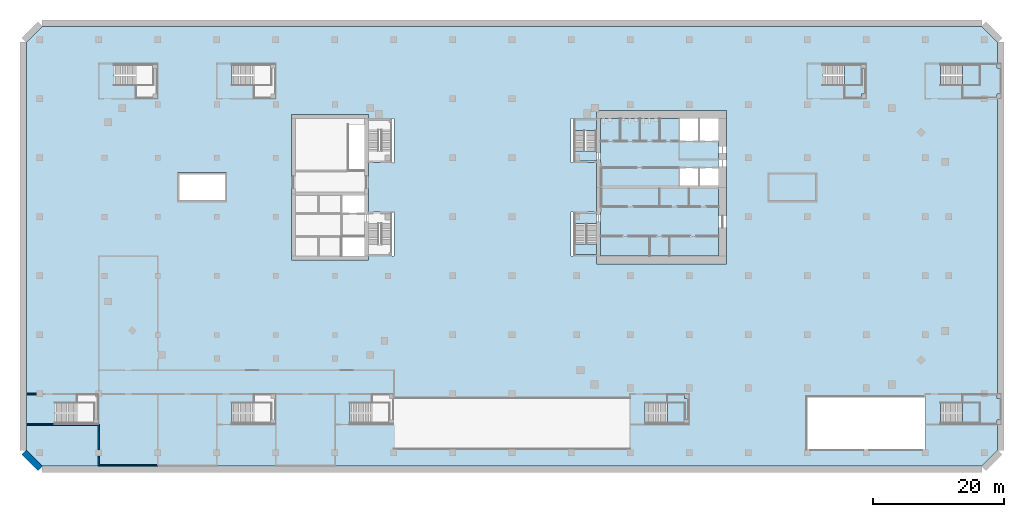
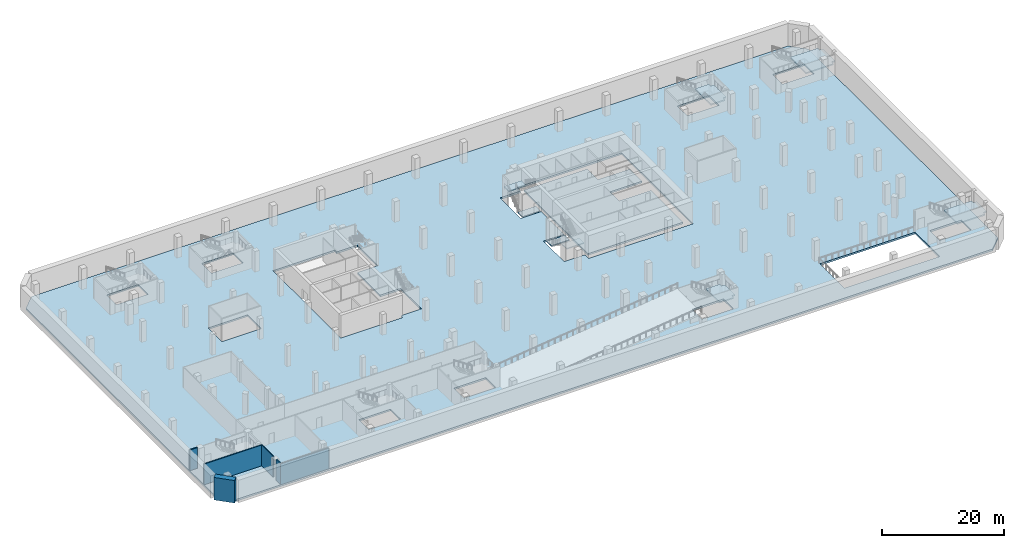
# One storey, part 3 of 16: 10 slabs, 6 walls, 6 elements without a shape of their own.
"""IFC4 building model written with IfcOpenShell, lengths in metres."""

from ifc_helpers import new_model, si_unit, direction, frame, frame_2d, origin, place, context, subcontext, project, spatial, polyline, rectangle, outline, extrude, material, layer, layer_set, type_object, element, aggregate, save


model = new_model("IFC4")

# Units and contexts
model_context = context("Model", 3, precision=1e-05, world=origin(), true_north=direction((0.0, 1.0)))
body_context = subcontext(model_context, "Body", "Model", "MODEL_VIEW")
ifc_project = project(units=[si_unit("LENGTHUNIT", "METRE"), si_unit("AREAUNIT", "SQUARE_METRE"), si_unit("VOLUMEUNIT", "CUBIC_METRE"), si_unit("PLANEANGLEUNIT", "RADIAN"), si_unit("MASSUNIT", "GRAM", prefix="KILO")], contexts=[model_context])

# Site, building, storey
site_placement = place(None, origin())
site = spatial("IfcSite", under=ifc_project, at=site_placement, CompositionType="ELEMENT")
building_placement = place(site_placement, origin())
building = spatial("IfcBuilding", under=site, at=building_placement, Name="Cinnabar Reach Civic Tower", CompositionType="ELEMENT")
storey_placement = place(building_placement, frame((0.0, 0.0, -9.5)))
storey = spatial("IfcBuildingStorey", under=building, at=storey_placement, Name="B2", CompositionType="ELEMENT", Elevation=-9.5)

# Slab
ifc_material_1 = material(Name="Concrete C40", Category="concrete")
ifc_layer_1 = layer(ifc_material_1, 0.35)
ifc_layer_set_1 = layer_set([ifc_layer_1], Name="Basement flat slab 350 REI 150")
slab_type_1 = type_object("IfcSlabType", Name="Basement flat slab 350 REI 150", PredefinedType="FLOOR", material=ifc_layer_set_1)
slab_1_placement = place(storey_placement, frame((0.0, 0.0, -0.35)))
element("IfcSlab", 1, at=slab_1_placement, inside=storey, type_object=slab_type_1, Name="Basement flat slab 350 B2", PredefinedType="FLOOR", context=body_context, shape_type="SweptSolid", body=[
    extrude(outline(polyline([(-83.0, -8.5858), (-83.0, 53.5858), (-80.5858, 56.0), (62.5858, 56.0), (65.0, 53.5858), (65.0, -8.5858), (62.5858, -11.0), (-80.5858, -11.0), (-83.0, -8.5858)]), holes=[polyline([(-78.7, -1.3), (-78.7, -4.5), (-72.7, -4.5), (-72.7, -1.3), (-78.7, -1.3)]), polyline([(-45.7, -1.3), (-51.7, -1.3), (-51.7, -4.5), (-45.7, -4.5), (-45.7, -1.3)]), polyline([(-27.7, -1.3), (-33.7, -1.3), (-33.7, -4.5), (-27.7, -4.5), (-27.7, -1.3)]), polyline([(-60.0, 33.75), (-60.0, 29.25), (-52.5, 29.25), (-52.5, 33.75), (-60.0, 33.75)]), polyline([(-42.6, 20.4), (-30.9, 20.4), (-30.9, 21.0), (-27.0, 21.0), (-27.0, 27.75), (-30.9, 27.75), (-30.9, 35.25), (-27.0, 35.25), (-27.0, 42.0), (-30.9, 42.0), (-30.9, 42.6), (-42.6, 42.6), (-42.6, 20.4)]), polyline([(-63.7, 50.2), (-69.7, 50.2), (-69.7, 47.0), (-63.7, 47.0), (-63.7, 50.2)]), polyline([(-51.7, 50.2), (-51.7, 47.0), (-45.7, 47.0), (-45.7, 50.2), (-51.7, 50.2)]), polyline([(54.0, -0.5), (36.0, -0.5), (36.0, -8.5), (54.0, -8.5), (54.0, -0.5)]), polyline([(17.3, -1.3), (11.3, -1.3), (11.3, -4.5), (17.3, -4.5), (17.3, -1.3)]), polyline([(62.3, -1.3), (56.3, -1.3), (56.3, -4.5), (62.3, -4.5), (62.3, -1.3)]), polyline([(3.9, 42.0), (0.0, 42.0), (0.0, 35.25), (3.9, 35.25), (3.9, 27.75), (0.0, 27.75), (0.0, 21.0), (3.9, 21.0), (3.9, 19.8), (23.7, 19.8), (23.7, 43.2), (3.9, 43.2), (3.9, 42.0)]), polyline([(44.3, 47.0), (44.3, 50.2), (38.3, 50.2), (38.3, 47.0), (44.3, 47.0)]), polyline([(62.3, 47.0), (62.3, 50.2), (56.3, 50.2), (56.3, 47.0), (62.3, 47.0)])]), origin(), (0.0, 0.0, 1.0), 0.35),
])

# Stair, slab
ifc_material_2 = material(Name="Concrete C35", Category="concrete")
stair_type_1 = type_object("IfcStairType", Name="Podium exit stair 1500", PredefinedType="HALF_TURN_STAIR", material=ifc_material_2)
stair_1_placement = place(storey_placement, origin())
stair_1 = element("IfcStair", 2, at=stair_1_placement, inside=storey, type_object=stair_type_1, Name="Stair PS3", PredefinedType="HALF_TURN_STAIR")
ifc_material_3 = material(Name="Concrete C35/45", Category="concrete")
ifc_layer_2 = layer(ifc_material_3, 0.25)
ifc_layer_set_2 = layer_set([ifc_layer_2], Name="Podium exit stair landing 250")
slab_type_2 = type_object("IfcSlabType", Name="Podium exit stair landing 250", PredefinedType="LANDING", material=ifc_layer_set_2)
slab_2_placement = place(storey_placement, frame((0.0, 0.0, 2.0)))
slab_2 = element("IfcSlab", 3, at=slab_2_placement, type_object=slab_type_2, Name="PS3 landing 1", PredefinedType="LANDING", context=body_context, shape_type="SweptSolid", body=[
    extrude(outline(polyline([(17.9, -3.95), (17.3, -3.95), (17.3, -4.55), (14.67, -4.55), (14.67, -0.1), (17.3, -0.1), (17.3, -0.7), (17.9, -0.7), (17.9, -3.95)])), origin(), (0.0, 0.0, 1.0), 0.25),
])
aggregate(stair_1, [slab_2])

stair_2_placement = place(storey_placement, origin())
stair_2 = element("IfcStair", 4, at=stair_2_placement, inside=storey, type_object=stair_type_1, Name="Stair PS4", PredefinedType="HALF_TURN_STAIR")
slab_3_placement = place(storey_placement, frame((0.0, 0.0, 2.0)))
slab_3 = element("IfcSlab", 5, at=slab_3_placement, type_object=slab_type_2, Name="PS4 landing 1", PredefinedType="LANDING", context=body_context, shape_type="SweptSolid", body=[
    extrude(outline(polyline([(65.5, -3.95), (64.9, -3.95), (64.9, -4.55), (59.67, -4.55), (59.67, -0.1), (64.9, -0.1), (64.9, -0.7), (65.5, -0.7), (65.5, -3.95)])), origin(), (0.0, 0.0, 1.0), 0.25),
])
aggregate(stair_2, [slab_3])

stair_3_placement = place(storey_placement, origin())
stair_3 = element("IfcStair", 6, at=stair_3_placement, inside=storey, type_object=stair_type_1, Name="Stair PS5", PredefinedType="HALF_TURN_STAIR")
slab_4_placement = place(storey_placement, frame((0.0, 0.0, 2.0)))
slab_4 = element("IfcSlab", 7, at=slab_4_placement, type_object=slab_type_2, Name="PS5 landing 1", PredefinedType="LANDING", context=body_context, shape_type="SweptSolid", body=[
    extrude(outline(polyline([(65.5, 45.7), (64.9, 45.7), (64.9, 45.1), (59.67, 45.1), (59.67, 50.25), (64.9, 50.25), (64.9, 49.65), (65.5, 49.65), (65.5, 45.7)])), origin(), (0.0, 0.0, 1.0), 0.25),
])
aggregate(stair_3, [slab_4])

stair_4_placement = place(storey_placement, origin())
stair_4 = element("IfcStair", 8, at=stair_4_placement, inside=storey, type_object=stair_type_1, Name="Stair PS6", PredefinedType="HALF_TURN_STAIR")
slab_5_placement = place(storey_placement, frame((0.0, 0.0, 2.0)))
slab_5 = element("IfcSlab", 9, at=slab_5_placement, type_object=slab_type_2, Name="PS6 landing 1", PredefinedType="LANDING", context=body_context, shape_type="SweptSolid", body=[
    extrude(outline(polyline([(44.9, 45.7), (44.3, 45.7), (44.3, 45.1), (41.67, 45.1), (41.67, 50.25), (44.3, 50.25), (44.3, 49.65), (44.9, 49.65), (44.9, 45.7)])), origin(), (0.0, 0.0, 1.0), 0.25),
])
aggregate(stair_4, [slab_5])

# Stair, slabs
ifc_material_4 = material(Name="Concrete C40/50", Category="concrete")
stair_type_2 = type_object("IfcStairType", Name="T1 Exit stair, half-turn", PredefinedType="HALF_TURN_STAIR", material=ifc_material_4)
stair_5_placement = place(storey_placement, origin())
stair_5 = element("IfcStair", 10, at=stair_5_placement, inside=storey, type_object=stair_type_2, Name="Stair T1-S1", PredefinedType="HALF_TURN_STAIR")
ifc_layer_3 = layer(ifc_material_4, 0.2)
ifc_layer_set_3 = layer_set([ifc_layer_3], Name="T1 Stair landing 200, Concrete C40/50")
slab_type_3 = type_object("IfcSlabType", Name="T1 Stair landing 200, Concrete C40/50", PredefinedType="LANDING", material=ifc_layer_set_3)
slab_6_placement = place(storey_placement, frame((0.0, 0.0, -0.2)))
slab_6 = element("IfcSlab", 11, at=slab_6_placement, type_object=slab_type_3, Name="T1-S1 landing 1", PredefinedType="LANDING", context=body_context, shape_type="SweptSolid", body=[
    extrude(outline(polyline([(3.9, 25.95), (3.9, 27.5), (0.5, 27.5), (0.5, 25.95), (3.9, 25.95)])), origin(), (0.0, 0.0, 1.0), 0.2),
])
slab_7_placement = place(storey_placement, frame((0.0, 0.0, 2.05)))
slab_7 = element("IfcSlab", 12, at=slab_7_placement, type_object=slab_type_3, Name="T1-S1 landing 2", PredefinedType="LANDING", context=body_context, shape_type="SweptSolid", body=[
    extrude(outline(polyline([(3.9, 21.25), (3.9, 22.83), (0.6, 22.83), (0.6, 21.25), (3.9, 21.25)])), origin(), (0.0, 0.0, 1.0), 0.2),
])
aggregate(stair_5, [slab_6, slab_7])

stair_6_placement = place(storey_placement, origin())
stair_6 = element("IfcStair", 13, at=stair_6_placement, inside=storey, type_object=stair_type_2, Name="Stair T1-S2", PredefinedType="HALF_TURN_STAIR")
slab_8_placement = place(storey_placement, frame((0.0, 0.0, -0.2)))
slab_8 = element("IfcSlab", 14, at=slab_8_placement, type_object=slab_type_3, Name="T1-S2 landing 1", PredefinedType="LANDING", context=body_context, shape_type="SweptSolid", body=[
    extrude(outline(polyline([(3.9, 35.5), (3.9, 37.05), (0.5, 37.05), (0.5, 35.5), (3.9, 35.5)])), origin(), (0.0, 0.0, 1.0), 0.2),
])
slab_9_placement = place(storey_placement, frame((0.0, 0.0, 2.05)))
slab_9 = element("IfcSlab", 15, at=slab_9_placement, type_object=slab_type_3, Name="T1-S2 landing 2", PredefinedType="LANDING", context=body_context, shape_type="SweptSolid", body=[
    extrude(outline(polyline([(3.9, 40.17), (3.9, 41.75), (0.6, 41.75), (0.6, 40.17), (3.9, 40.17)])), origin(), (0.0, 0.0, 1.0), 0.2),
])
aggregate(stair_6, [slab_8, slab_9])

# Slab
ifc_layer_4 = layer(ifc_material_4, 0.35)
ifc_layer_set_4 = layer_set([ifc_layer_4], Name="T1 core floor slab 350")
slab_type_4 = type_object("IfcSlabType", Name="T1 core floor slab 350", PredefinedType="FLOOR", material=ifc_layer_set_4)
slab_10_placement = place(storey_placement, frame((0.0, 0.0, -0.35)))
element("IfcSlab", 16, at=slab_10_placement, inside=storey, type_object=slab_type_4, Name="Core floor slab B2", PredefinedType="FLOOR", context=body_context, shape_type="SweptSolid", body=[
    extrude(outline(polyline([(22.5, 21.0), (4.5, 21.0), (4.5, 42.0), (16.5, 42.0), (16.5, 38.5), (19.5, 38.5), (22.5, 38.5), (22.5, 34.5), (19.5, 34.5), (16.5, 34.5), (16.5, 31.5), (19.5, 31.5), (22.5, 31.5), (22.5, 21.0)])), origin(), (0.0, 0.0, 1.0), 0.35),
])

# Walls
ifc_material_5 = material(Name="Concrete C70", Category="concrete")
ifc_layer_5 = layer(ifc_material_5, 1.0)
ifc_layer_set_5 = layer_set([ifc_layer_5], Name="Basement wall 1000 EI 180")
wall_type_1 = type_object("IfcWallType", Name="Basement wall 1000 EI 180", PredefinedType="SOLIDWALL", material=ifc_layer_set_5)
wall_1_placement = place(storey_placement, frame((-80.9004, -11.3924, 0.0), z_axis=(0.0, 0.0, 1.0), x_axis=(-0.707106781187, 0.707106781187, 0.0)))
element("IfcWall", 17, at=wall_1_placement, inside=storey, type_object=wall_type_1, Name="Basement wall B2 1", PredefinedType="SOLIDWALL", context=body_context, shape_type="SweptSolid", body=[
    extrude(rectangle(XDim=3.5242, YDim=1.0, at=frame_2d((1.7621, 0.0))), origin(), (0.0, 0.0, 1.0), 4.5),
])
ifc_material_6 = material(Name="Concrete blockwork", Category="masonry")
ifc_layer_6 = layer(ifc_material_6, 0.2)
ifc_layer_set_6 = layer_set([ifc_layer_6], Name="Podium masonry corridor wall 200 EI 120")
wall_type_2 = type_object("IfcWallType", Name="Podium masonry corridor wall 200 EI 120", PredefinedType="PARTITIONING", material=ifc_layer_set_6)
wall_2_placement = place(storey_placement, frame((-72.1, -10.9, 0.0), z_axis=(0.0, 0.0, 1.0), x_axis=(1.0, 0.0, 0.0)))
element("IfcWall", 18, at=wall_2_placement, inside=storey, type_object=wall_type_2, Name="Wall B2 46", PredefinedType="PARTITIONING", context=body_context, shape_type="SweptSolid", body=[
    extrude(rectangle(XDim=9.1, YDim=0.2, at=frame_2d((4.55, 0.0))), origin(), (0.0, 0.0, 1.0), 4.15),
])
wall_3_placement = place(storey_placement, frame((-72.0, -10.9, 0.0), z_axis=(0.0, 0.0, 1.0), x_axis=(0.0, 1.0, 0.0)))
element("IfcWall", 19, at=wall_3_placement, inside=storey, type_object=wall_type_2, Name="Wall B2 47", PredefinedType="PARTITIONING", context=body_context, shape_type="SweptSolid", body=[
    extrude(rectangle(XDim=1.38, YDim=0.2, at=frame_2d((0.69, 0.0))), origin(), (0.0, 0.0, 1.0), 4.15),
])
wall_4_placement = place(storey_placement, frame((-72.0, -8.48, 0.0), z_axis=(0.0, 0.0, 1.0), x_axis=(0.0, 1.0, 0.0)))
element("IfcWall", 20, at=wall_4_placement, inside=storey, type_object=wall_type_2, Name="Wall B2 48", PredefinedType="PARTITIONING", context=body_context, shape_type="SweptSolid", body=[
    extrude(rectangle(XDim=3.83, YDim=0.2, at=frame_2d((1.915, 0.0))), origin(), (0.0, 0.0, 1.0), 4.15),
])
ifc_layer_7 = layer(ifc_material_1, 0.2)
ifc_layer_set_7 = layer_set([ifc_layer_7], Name="Podium stair shaft wall 200 EI 120")
wall_type_3 = type_object("IfcWallType", Name="Podium stair shaft wall 200 EI 120", PredefinedType="SOLIDWALL", material=ifc_layer_set_7)
wall_5_placement = place(storey_placement, frame((-83.0, -4.65, 0.0), z_axis=(0.0, 0.0, 1.0), x_axis=(1.0, 0.0, 0.0)))
element("IfcWall", 21, at=wall_5_placement, inside=storey, type_object=wall_type_3, Name="Wall B2 2", PredefinedType="SOLIDWALL", context=body_context, shape_type="SweptSolid", body=[
    extrude(rectangle(XDim=10.9, YDim=0.2, at=frame_2d((5.45, 0.0))), origin(), (0.0, 0.0, 1.0), 4.15),
])
wall_6_placement = place(storey_placement, frame((-83.0, 0.0, 0.0), z_axis=(0.0, 0.0, 1.0), x_axis=(1.0, 0.0, 0.0)))
element("IfcWall", 22, at=wall_6_placement, inside=storey, type_object=wall_type_3, Name="Wall B2 3", PredefinedType="SOLIDWALL", context=body_context, shape_type="SweptSolid", body=[
    extrude(rectangle(XDim=1.48, YDim=0.2, at=frame_2d((0.74, 0.0))), origin(), (0.0, 0.0, 1.0), 4.15),
])

save(model, "model.ifc")
